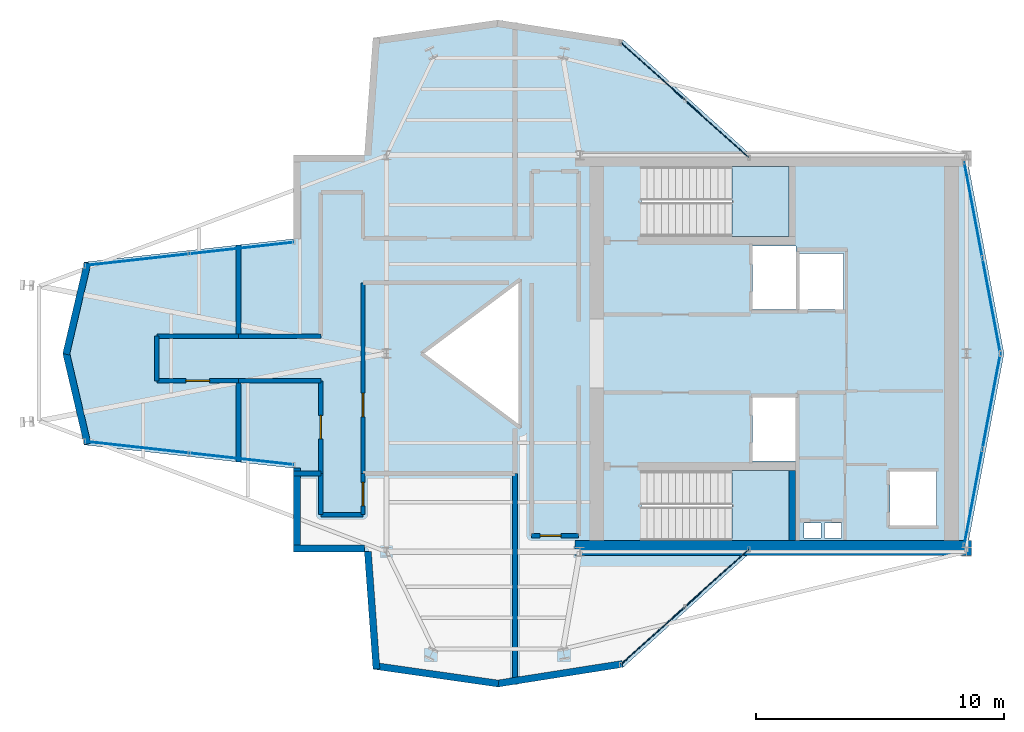
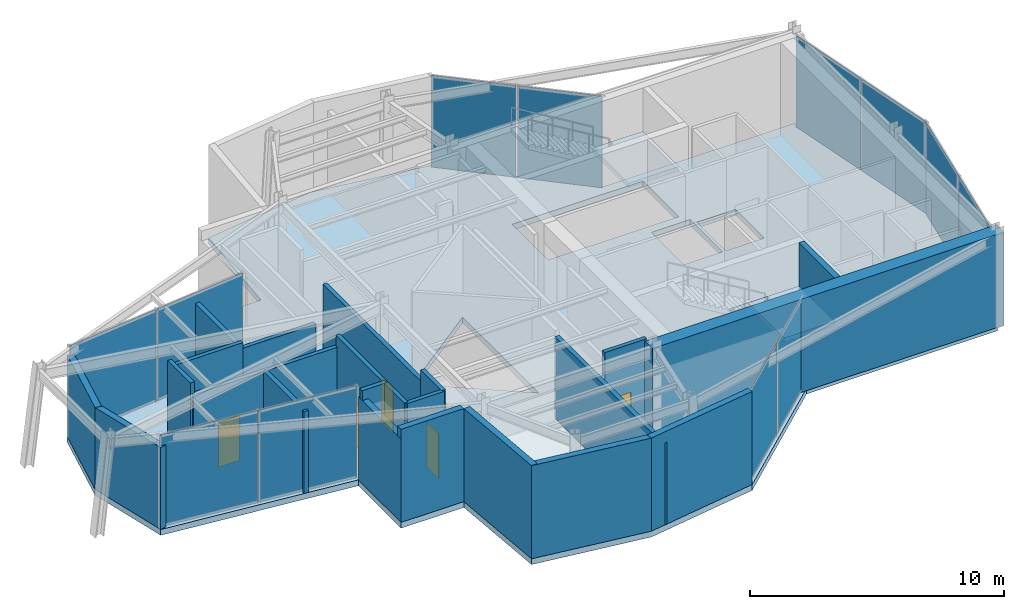
# One storey, part 7 of 11: 24 walls, 12 plates, 5 doors, 3 slabs, 5 openings, 8 elements without a shape of their own.
"""IFC4 building model written with IfcOpenShell, lengths in metres."""

from ifc_helpers import new_model, si_unit, direction, frame, frame_2d, origin, origin_2d, place, context, subcontext, project, spatial, polyline, rectangle, outline, extrude, material, layer, layer_set, type_object, element, fill, aggregate, save


model = new_model("IFC4")

# Units and contexts
model_context = context("Model", 3, precision=1e-05, world=origin(), true_north=direction((0.0, 1.0)))
body_context = subcontext(model_context, "Body", "Model", "MODEL_VIEW")
ifc_project = project(units=[si_unit("LENGTHUNIT", "METRE"), si_unit("AREAUNIT", "SQUARE_METRE"), si_unit("VOLUMEUNIT", "CUBIC_METRE"), si_unit("PLANEANGLEUNIT", "RADIAN"), si_unit("MASSUNIT", "GRAM", prefix="KILO")], contexts=[model_context])

# Site, building, storey
site_placement = place(None, origin())
site = spatial("IfcSite", under=ifc_project, at=site_placement, CompositionType="ELEMENT")
building_placement = place(site_placement, origin())
building = spatial("IfcBuilding", under=site, at=building_placement, Name="Veymaron Broadcast Tower", CompositionType="ELEMENT")
storey_placement = place(building_placement, frame((0.0, 0.0, 327.60009765625)))
storey = spatial("IfcBuildingStorey", under=building, at=storey_placement, Name="L77", CompositionType="ELEMENT", Elevation=327.60009765625)

# Curtain wall, plates
ifc_material_1 = material(Name="Anodised aluminium AA 6063-T6 and laminated low-E dark glass", Category="aluminium")
ifc_layer_1 = layer(ifc_material_1, 0.179931640625)
ifc_layer_set_1 = layer_set([ifc_layer_1], Name="Anodised aluminium AA 6063-T6 and laminated low-E dark glass")
curtain_wall_type = type_object("IfcCurtainWallType", Name="CW-SYS-07", PredefinedType="NOTDEFINED", material=ifc_layer_set_1)
curtain_wall_1_placement = place(storey_placement, origin())
curtain_wall_1 = element("IfcCurtainWall", 1, at=curtain_wall_1_placement, inside=storey, type_object=curtain_wall_type, Name="L77 dark-glass curtain wall CW-L77-E2-1", PredefinedType="NOTDEFINED")
ifc_material_2 = material(Name="Triple-laminated solar-control dark glass IGU 36 mm", Category="glass")
ifc_layer_2 = layer(ifc_material_2, 0.035888671875)
ifc_layer_set_2 = layer_set([ifc_layer_2], Name="Triple-laminated solar-control dark glass IGU 36 mm")
plate_type = type_object("IfcPlateType", Name="CW-PNL-01", PredefinedType="CURTAIN_PANEL", material=ifc_layer_set_2)
plate_1_placement = place(storey_placement, frame((54.873046875, 18.197998046875, 0.0400390625), z_axis=(0.0, 0.0, 1.0), x_axis=(0.18570091493, 0.982606314957, 0.0)))
plate_1 = element("IfcPlate", 2, at=plate_1_placement, type_object=plate_type, Name="CW-L77-E2-1 unitised curtain panel 0", PredefinedType="CURTAIN_PANEL", context=body_context, shape_type="SweptSolid", body=[
    extrude(rectangle(XDim=3.89404296875, YDim=0.035888671875, at=origin_2d()), origin(), (0.0, 0.0, 1.0), 4.39990234375),
])
plate_2_placement = place(storey_placement, frame((55.607421875, 22.083251953125, 0.0400390625), z_axis=(0.0, 0.0, 1.0), x_axis=(0.18570091493, 0.982606314957, 0.0)))
plate_2 = element("IfcPlate", 3, at=plate_2_placement, type_object=plate_type, Name="CW-L77-E2-1 unitised curtain panel 1", PredefinedType="CURTAIN_PANEL", context=body_context, shape_type="SweptSolid", body=[
    extrude(rectangle(XDim=3.89404296875, YDim=0.035888671875, at=origin_2d()), origin(), (0.0, 0.0, 1.0), 4.39990234375),
])
aggregate(curtain_wall_1, [plate_1, plate_2])

curtain_wall_2_placement = place(storey_placement, origin())
curtain_wall_2 = element("IfcCurtainWall", 4, at=curtain_wall_2_placement, inside=storey, type_object=curtain_wall_type, Name="L77 dark-glass curtain wall CW-L77-E3-1", PredefinedType="NOTDEFINED")
plate_3_placement = place(storey_placement, frame((55.607421875, 25.916748046875, 0.0400390625), z_axis=(0.0, 0.0, 1.0), x_axis=(-0.18570091493, 0.982606314957, 0.0)))
plate_3 = element("IfcPlate", 5, at=plate_3_placement, type_object=plate_type, Name="CW-L77-E3-1 unitised curtain panel 0", PredefinedType="CURTAIN_PANEL", context=body_context, shape_type="SweptSolid", body=[
    extrude(rectangle(XDim=3.89404296875, YDim=0.035888671875, at=origin_2d()), origin(), (0.0, 0.0, 1.0), 4.39990234375),
])
plate_4_placement = place(storey_placement, frame((54.873046875, 29.802001953125, 0.0400390625), z_axis=(0.0, 0.0, 1.0), x_axis=(-0.18570091493, 0.982606314957, 0.0)))
plate_4 = element("IfcPlate", 6, at=plate_4_placement, type_object=plate_type, Name="CW-L77-E3-1 unitised curtain panel 1", PredefinedType="CURTAIN_PANEL", context=body_context, shape_type="SweptSolid", body=[
    extrude(rectangle(XDim=3.89404296875, YDim=0.035888671875, at=origin_2d()), origin(), (0.0, 0.0, 1.0), 4.39990234375),
])
aggregate(curtain_wall_2, [plate_3, plate_4])

curtain_wall_3_placement = place(storey_placement, origin())
curtain_wall_3 = element("IfcCurtainWall", 7, at=curtain_wall_3_placement, inside=storey, type_object=curtain_wall_type, Name="L77 dark-glass curtain wall CW-L77-E5-1", PredefinedType="NOTDEFINED")
plate_5_placement = place(storey_placement, frame((44.525390625, 33.06201171875, 0.0400390625), z_axis=(0.0, 0.0, 1.0), x_axis=(-0.742724251655, 0.669597405912, 0.0)))
plate_5 = element("IfcPlate", 8, at=plate_5_placement, type_object=plate_type, Name="CW-L77-E5-1 unitised curtain panel 0", PredefinedType="CURTAIN_PANEL", context=body_context, shape_type="SweptSolid", body=[
    extrude(rectangle(XDim=3.422607421875, YDim=0.035888671875, at=origin_2d()), origin(), (0.0, 0.0, 1.0), 4.39990234375),
])
plate_6_placement = place(storey_placement, frame((41.93896484375, 35.39404296875, 0.0400390625), z_axis=(0.0, 0.0, 1.0), x_axis=(-0.742724251655, 0.669597405912, 0.0)))
plate_6 = element("IfcPlate", 9, at=plate_6_placement, type_object=plate_type, Name="CW-L77-E5-1 unitised curtain panel 1", PredefinedType="CURTAIN_PANEL", context=body_context, shape_type="SweptSolid", body=[
    extrude(rectangle(XDim=3.422607421875, YDim=0.035888671875, at=origin_2d()), origin(), (0.0, 0.0, 1.0), 4.39990234375),
])
aggregate(curtain_wall_3, [plate_5, plate_6])

curtain_wall_4_placement = place(storey_placement, origin())
curtain_wall_4 = element("IfcCurtainWall", 10, at=curtain_wall_4_placement, inside=storey, type_object=curtain_wall_type, Name="L77 dark-glass curtain wall CW-L77-E11-1", PredefinedType="NOTDEFINED")
plate_7_placement = place(storey_placement, frame((25.3515625, 28.252197265625, 0.0400390625), z_axis=(0.0, 0.0, 1.0), x_axis=(-0.993853228115, -0.110705740436, 0.0)))
plate_7 = element("IfcPlate", 11, at=plate_7_placement, type_object=plate_type, Name="CW-L77-E11-1 unitised curtain panel 0", PredefinedType="CURTAIN_PANEL", context=body_context, shape_type="SweptSolid", body=[
    extrude(rectangle(XDim=4.190185546875, YDim=0.035888671875, at=origin_2d()), origin(), (0.0, 0.0, 1.0), 4.39990234375),
])
plate_8_placement = place(storey_placement, frame((21.12744140625, 27.781494140625, 0.0400390625), z_axis=(0.0, 0.0, 1.0), x_axis=(-0.993853228115, -0.110705740436, 0.0)))
plate_8 = element("IfcPlate", 12, at=plate_8_placement, type_object=plate_type, Name="CW-L77-E11-1 unitised curtain panel 1", PredefinedType="CURTAIN_PANEL", context=body_context, shape_type="SweptSolid", body=[
    extrude(rectangle(XDim=4.190185546875, YDim=0.035888671875, at=origin_2d()), origin(), (0.0, 0.0, 1.0), 4.39990234375),
])
aggregate(curtain_wall_4, [plate_7, plate_8])

curtain_wall_5_placement = place(storey_placement, origin())
curtain_wall_5 = element("IfcCurtainWall", 13, at=curtain_wall_5_placement, inside=storey, type_object=curtain_wall_type, Name="L77 dark-glass curtain wall CW-L77-E14-1", PredefinedType="NOTDEFINED")
plate_9_placement = place(storey_placement, frame((21.12744140625, 20.218505859375, 0.0400390625), z_axis=(0.0, 0.0, 1.0), x_axis=(0.993853228115, -0.110705740436, 0.0)))
plate_9 = element("IfcPlate", 14, at=plate_9_placement, type_object=plate_type, Name="CW-L77-E14-1 unitised curtain panel 0", PredefinedType="CURTAIN_PANEL", context=body_context, shape_type="SweptSolid", body=[
    extrude(rectangle(XDim=4.190185546875, YDim=0.035888671875, at=origin_2d()), origin(), (0.0, 0.0, 1.0), 4.39990234375),
])
plate_10_placement = place(storey_placement, frame((25.3515625, 19.747802734375, 0.0400390625), z_axis=(0.0, 0.0, 1.0), x_axis=(0.993853228115, -0.110705740436, 0.0)))
plate_10 = element("IfcPlate", 15, at=plate_10_placement, type_object=plate_type, Name="CW-L77-E14-1 unitised curtain panel 1", PredefinedType="CURTAIN_PANEL", context=body_context, shape_type="SweptSolid", body=[
    extrude(rectangle(XDim=4.190185546875, YDim=0.035888671875, at=origin_2d()), origin(), (0.0, 0.0, 1.0), 4.39990234375),
])
aggregate(curtain_wall_5, [plate_9, plate_10])

curtain_wall_6_placement = place(storey_placement, origin())
curtain_wall_6 = element("IfcCurtainWall", 16, at=curtain_wall_6_placement, inside=storey, type_object=curtain_wall_type, Name="L77 dark-glass curtain wall CW-L77-E20-1", PredefinedType="NOTDEFINED")
plate_11_placement = place(storey_placement, frame((41.93896484375, 12.60595703125, 0.0400390625), z_axis=(0.0, 0.0, 1.0), x_axis=(0.742724251655, 0.669597405912, 0.0)))
plate_11 = element("IfcPlate", 17, at=plate_11_placement, type_object=plate_type, Name="CW-L77-E20-1 unitised curtain panel 0", PredefinedType="CURTAIN_PANEL", context=body_context, shape_type="SweptSolid", body=[
    extrude(rectangle(XDim=3.422607421875, YDim=0.035888671875, at=origin_2d()), origin(), (0.0, 0.0, 1.0), 4.39990234375),
])
plate_12_placement = place(storey_placement, frame((44.525390625, 14.93798828125, 0.0400390625), z_axis=(0.0, 0.0, 1.0), x_axis=(0.742724251655, 0.669597405912, 0.0)))
plate_12 = element("IfcPlate", 18, at=plate_12_placement, type_object=plate_type, Name="CW-L77-E20-1 unitised curtain panel 1", PredefinedType="CURTAIN_PANEL", context=body_context, shape_type="SweptSolid", body=[
    extrude(rectangle(XDim=3.422607421875, YDim=0.035888671875, at=origin_2d()), origin(), (0.0, 0.0, 1.0), 4.39990234375),
])
aggregate(curtain_wall_6, [plate_11, plate_12])

# Slab
ifc_material_3 = material(Name="Concrete C40/50", Category="concrete")
ifc_layer_3 = layer(ifc_material_3, 0.280029296875)
ifc_layer_set_3 = layer_set([ifc_layer_3], Name="Concrete C40/50")
slab_type_1 = type_object("IfcSlabType", Name="SLAB-FS3", PredefinedType="FLOOR", material=ifc_layer_set_3)
slab_1_placement = place(storey_placement, frame((0.0, 0.0, -0.280029296875)))
element("IfcSlab", 19, at=slab_1_placement, inside=storey, type_object=slab_type_1, Name="L77 structural floor slab", PredefinedType="FLOOR", context=body_context, shape_type="SweptSolid", body=[
    extrude(outline(polyline([(45.91259765625, 16.0), (54.60009765625, 16.0), (56.112060546875, 24.0), (54.60009765625, 32.0), (45.91259765625, 32.0), (40.7392578125, 36.6640625), (35.696044921875, 37.4560546875), (30.65283203125, 36.736083984375), (30.306396484375, 32.0), (27.447998046875, 32.0), (27.447998046875, 28.62646484375), (19.0, 27.685302734375), (18.135986328125, 24.0), (19.0, 20.314697265625), (27.447998046875, 19.37353515625), (27.447998046875, 16.0), (30.306396484375, 16.0), (30.65283203125, 11.263916015625), (35.696044921875, 10.5439453125), (40.7392578125, 11.3359375), (45.91259765625, 16.0)]), holes=[polyline([(45.969970703125, 28.330078125), (47.72998046875, 28.330078125), (47.72998046875, 25.77001953125), (45.969970703125, 25.77001953125), (45.969970703125, 28.330078125)]), polyline([(45.969970703125, 22.22998046875), (47.72998046875, 22.22998046875), (47.72998046875, 19.669921875), (45.969970703125, 19.669921875), (45.969970703125, 22.22998046875)]), polyline([(47.8701171875, 28.030029296875), (49.6298828125, 28.030029296875), (49.6298828125, 25.77001953125), (47.8701171875, 25.77001953125), (47.8701171875, 28.030029296875)]), polyline([(51.52001953125, 19.22998046875), (53.3798828125, 19.22998046875), (53.3798828125, 17.070068359375), (51.52001953125, 17.070068359375), (51.52001953125, 19.22998046875)]), polyline([(48.050048828125, 17.159912109375), (48.719970703125, 17.159912109375), (48.719970703125, 16.56005859375), (48.050048828125, 16.56005859375), (48.050048828125, 17.159912109375)]), polyline([(48.8798828125, 17.159912109375), (49.550048828125, 17.159912109375), (49.550048828125, 16.56005859375), (48.8798828125, 16.56005859375), (48.8798828125, 17.159912109375)]), polyline([(36.60009765625, 27.0), (36.60009765625, 21.0), (32.60009765625, 24.0), (36.60009765625, 27.0)]), polyline([(41.489990234375, 31.550048828125), (47.43994140625, 31.550048828125), (47.43994140625, 28.72998046875), (41.489990234375, 28.72998046875), (41.489990234375, 31.550048828125)]), polyline([(41.489990234375, 19.27001953125), (47.43994140625, 19.27001953125), (47.43994140625, 16.449951171875), (41.489990234375, 16.449951171875), (41.489990234375, 19.27001953125)])]), origin(), (0.0, 0.0, 1.0), 0.280029296875),
])

# Stair, slab
ifc_material_4 = material(Name="Concrete C50/60", Category="concrete")
stair_type_1 = type_object("IfcStairType", Name="STAIR-CORE-1", PredefinedType="HALF_TURN_STAIR", material=ifc_material_4)
stair_1_placement = place(storey_placement, origin())
stair_1 = element("IfcStair", 20, at=stair_1_placement, inside=storey, type_object=stair_type_1, Name="L77 North protected dog-leg exit stair ST1", PredefinedType="HALF_TURN_STAIR")
ifc_layer_4 = layer(ifc_material_4, 0.199951171875)
ifc_layer_set_4 = layer_set([ifc_layer_4], Name="Concrete C50/60")
slab_type_2 = type_object("IfcSlabType", Name="SLAB-STAIR-LDG", PredefinedType="LANDING", material=ifc_layer_set_4)
slab_2_placement = place(storey_placement, frame((0.0, 0.0, 2.199951171875)))
slab_2 = element("IfcSlab", 21, at=slab_2_placement, type_object=slab_type_2, Name="ST1 landing 1", PredefinedType="LANDING", context=body_context, shape_type="SweptSolid", body=[
    extrude(outline(polyline([(45.135009765625, 28.72998046875), (47.43994140625, 28.72998046875), (47.43994140625, 31.550048828125), (45.135009765625, 31.550048828125), (45.135009765625, 28.72998046875)])), origin(), (0.0, 0.0, 1.0), 0.199951171875),
])
aggregate(stair_1, [slab_2])

stair_type_2 = type_object("IfcStairType", Name="STAIR-CORE-2", PredefinedType="HALF_TURN_STAIR", material=ifc_material_4)
stair_2_placement = place(storey_placement, origin())
stair_2 = element("IfcStair", 22, at=stair_2_placement, inside=storey, type_object=stair_type_2, Name="L77 South protected dog-leg exit stair ST2", PredefinedType="HALF_TURN_STAIR")
slab_3_placement = place(storey_placement, frame((0.0, 0.0, 2.199951171875)))
slab_3 = element("IfcSlab", 23, at=slab_3_placement, type_object=slab_type_2, Name="ST2 landing 1", PredefinedType="LANDING", context=body_context, shape_type="SweptSolid", body=[
    extrude(outline(polyline([(45.135009765625, 16.449951171875), (47.43994140625, 16.449951171875), (47.43994140625, 19.27001953125), (45.135009765625, 19.27001953125), (45.135009765625, 16.449951171875)])), origin(), (0.0, 0.0, 1.0), 0.199951171875),
])
aggregate(stair_2, [slab_3])

# Walls
ifc_layer_5 = layer(ifc_material_3, 0.199951171875)
ifc_layer_set_5 = layer_set([ifc_layer_5], Name="Concrete C40/50")
wall_type_1 = type_object("IfcWallType", Name="WALL-BLK-200", PredefinedType="SOLIDWALL", material=ifc_layer_set_5)
wall_1_placement = place(storey_placement, frame((36.3759765625, 10.65087890625, 0.0), z_axis=(0.0, 0.0, 1.0), x_axis=(0.0, 1.0, 0.0)))
element("IfcWall", 24, at=wall_1_placement, inside=storey, type_object=wall_type_1, Name="L77 partition IW-L77-P23", PredefinedType="SOLIDWALL", context=body_context, shape_type="SweptSolid", body=[
    extrude(rectangle(XDim=8.505126953125, YDim=0.199951171875, at=frame_2d((4.25244140625, 0.0))), origin(), (0.0, 0.0, 1.0), 3.93994140625),
])
wall_2_placement = place(storey_placement, frame((27.447998046875, 19.156005859375, 0.0), z_axis=(0.0, 0.0, 1.0), x_axis=(1.0, 0.0, 0.0)))
element("IfcWall", 25, at=wall_2_placement, inside=storey, type_object=wall_type_1, Name="L77 partition IW-L77-P25", PredefinedType="SOLIDWALL", context=body_context, shape_type="SweptSolid", body=[
    extrude(rectangle(XDim=1.10205078125, YDim=0.199951171875, at=frame_2d((0.551025390625, 0.0))), origin(), (0.0, 0.0, 1.0), 4.47998046875),
])
wall_3_placement = place(storey_placement, frame((25.22900390625, 19.620849609375, 0.0), z_axis=(0.0, 0.0, 1.0), x_axis=(0.0, 1.0, 0.0)))
element("IfcWall", 26, at=wall_3_placement, inside=storey, type_object=wall_type_1, Name="L77 partition IW-L77-P27", PredefinedType="SOLIDWALL", context=body_context, shape_type="SweptSolid", body=[
    extrude(rectangle(XDim=3.279052734375, YDim=0.199951171875, at=frame_2d((1.6396484375, 0.0))), origin(), (0.0, 0.0, 1.0), 3.93994140625),
])
wall_4_placement = place(storey_placement, frame((25.22900390625, 24.699951171875, 0.0), z_axis=(0.0, 0.0, 1.0), x_axis=(0.0, 1.0, 0.0)))
element("IfcWall", 27, at=wall_4_placement, inside=storey, type_object=wall_type_1, Name="L77 partition IW-L77-P28", PredefinedType="SOLIDWALL", context=body_context, shape_type="SweptSolid", body=[
    extrude(rectangle(XDim=3.67919921875, YDim=0.199951171875, at=frame_2d((1.839599609375, 0.0))), origin(), (0.0, 0.0, 1.0), 3.93994140625),
])
ifc_material_5 = material(Name="Precast concrete C40/50", Category="concrete")
ifc_layer_6 = layer(ifc_material_5, 0.280029296875)
ifc_layer_set_6 = layer_set([ifc_layer_6], Name="Precast concrete C40/50")
wall_type_2 = type_object("IfcWallType", Name="WALL-EXT-280", PredefinedType="STANDARD", material=ifc_layer_set_6)
for number, where, z_axis, x_axis, name in (
    (28, (19.13623046875, 27.6533203125, 0.0), (0.0, 0.0, 1.0), (-0.228259149092, -0.973600411286, 0.0), "L77 notched corner facade pier 12-1"),
    (29, (18.272216796875, 24.031982421875, 0.0), (0.0, 0.0, 1.0), (0.228259149092, -0.973600411286, 0.0), "L77 notched corner facade pier 13-1"),
):
    element("IfcWall", number, at=place(storey_placement, frame(where, z_axis=z_axis, x_axis=x_axis)), inside=storey, type_object=wall_type_2, Name=name, PredefinedType="STANDARD", context=body_context, shape_type="SweptSolid", body=[
        extrude(rectangle(XDim=3.78515625, YDim=0.280029296875, at=frame_2d((1.892578125, 0.0))), origin(), (0.0, 0.0, 1.0), 3.93994140625),
    ])
wall_5_placement = place(storey_placement, frame((27.587890625, 19.37353515625, 0.0), z_axis=(0.0, 0.0, 1.0), x_axis=(0.0, -1.0, 0.0)))
element("IfcWall", 30, at=wall_5_placement, inside=storey, type_object=wall_type_2, Name="L77 notched corner facade pier 15-1", PredefinedType="STANDARD", context=body_context, shape_type="SweptSolid", body=[
    extrude(rectangle(XDim=3.37353515625, YDim=0.280029296875, at=frame_2d((1.686767578125, 0.0))), origin(), (0.0, 0.0, 1.0), 4.0087890625),
])
wall_6_placement = place(storey_placement, frame((27.447998046875, 16.139892578125, 0.0), z_axis=(0.0, 0.0, 1.0), x_axis=(1.0, 0.0, 0.0)))
element("IfcWall", 31, at=wall_6_placement, inside=storey, type_object=wall_type_2, Name="L77 notched corner facade pier 16-1", PredefinedType="STANDARD", context=body_context, shape_type="SweptSolid", body=[
    extrude(rectangle(XDim=2.8583984375, YDim=0.280029296875, at=frame_2d((1.42919921875, 0.0))), origin(), (0.0, 0.0, 1.0), 4.47998046875),
])
wall_7_placement = place(storey_placement, frame((30.446044921875, 16.01025390625, 0.0), z_axis=(0.0, 0.0, 1.0), x_axis=(0.072953187508, -0.997335366079, 0.0)))
element("IfcWall", 32, at=wall_7_placement, inside=storey, type_object=wall_type_2, Name="L77 notched corner facade pier 17-1", PredefinedType="STANDARD", context=body_context, shape_type="SweptSolid", body=[
    extrude(rectangle(XDim=4.748779296875, YDim=0.280029296875, at=frame_2d((2.37451171875, 0.0))), origin(), (0.0, 0.0, 1.0), 4.47998046875),
])
wall_8_placement = place(storey_placement, frame((30.672607421875, 11.402587890625, 0.0), z_axis=(0.0, 0.0, 1.0), x_axis=(0.989962907882, -0.141327424861, 0.0)))
element("IfcWall", 33, at=wall_8_placement, inside=storey, type_object=wall_type_2, Name="L77 notched corner facade pier 18-1", PredefinedType="STANDARD", context=body_context, shape_type="SweptSolid", body=[
    extrude(rectangle(XDim=5.09423828125, YDim=0.280029296875, at=frame_2d((2.547119140625, 0.0))), origin(), (0.0, 0.0, 1.0), 4.47998046875),
])
wall_9_placement = place(storey_placement, frame((35.67431640625, 10.682373046875, 0.0), z_axis=(0.0, 0.0, 1.0), x_axis=(0.987892522015, 0.155139823857, 0.0)))
element("IfcWall", 34, at=wall_9_placement, inside=storey, type_object=wall_type_2, Name="L77 notched corner facade pier 19-1", PredefinedType="STANDARD", context=body_context, shape_type="SweptSolid", body=[
    extrude(rectangle(XDim=5.10498046875, YDim=0.280029296875, at=frame_2d((2.552490234375, 0.0))), origin(), (0.0, 0.0, 1.0), 4.47998046875),
])

# Wall, opening, door
ifc_layer_7 = layer(ifc_material_3, 0.179931640625)
ifc_layer_set_7 = layer_set([ifc_layer_7], Name="Concrete C40/50")
wall_type_3 = type_object("IfcWallType", Name="WALL-FIRE-180", PredefinedType="SOLIDWALL", material=ifc_layer_set_7)
wall_10_placement = place(storey_placement, frame((37.050048828125, 16.64404296875, 0.0), z_axis=(0.0, 0.0, 1.0), x_axis=(1.0, 0.0, 0.0)))
wall_10 = element("IfcWall", 35, at=wall_10_placement, inside=storey, type_object=wall_type_3, Name="L77 partition IW-L77-P03", PredefinedType="SOLIDWALL", context=body_context, shape_type="SweptSolid", body=[
    extrude(rectangle(XDim=1.89990234375, YDim=0.179931640625, at=frame_2d((0.949951171875, 0.0))), origin(), (0.0, 0.0, 1.0), 4.47998046875),
])
opening_1_placement = place(wall_10_placement, frame((0.344970703125, 0.0, 0.0)))
opening_1 = element("IfcOpeningElement", 36, at=opening_1_placement, cuts=wall_10, Name="Opening ID-WC1", PredefinedType="OPENING", context=body_context, shape_type="SweptSolid", body=[
    extrude(rectangle(XDim=0.85009765625, YDim=2.14990234375, at=frame_2d((0.425048828125, 1.074951171875))), frame((0.0, 0.10009765625, 0.0), z_axis=(0.0, -1.0, 0.0), x_axis=(1.0, 0.0, 0.0)), (0.0, 0.0, 1.0), 0.199951171875),
])
ifc_material_6 = material(Name="Moisture-resistant high-pressure laminate timber", Category="wood")
door_type_1 = type_object("IfcDoorType", Name="DOOR-INT-850", OperationType="NOTDEFINED", PredefinedType="DOOR", material=ifc_material_6)
door_1_placement = place(opening_1_placement, frame((0.85009765625, 0.0, 0.0), z_axis=(0.0, 0.0, 1.0), x_axis=(-1.0, 0.0, 0.0)))
door_1 = element("IfcDoor", 37, at=door_1_placement, inside=storey, type_object=door_type_1, Name="L77 door DR-L77-P03", OperationType="SINGLE_SWING_RIGHT", OverallHeight=2.14990234375, OverallWidth=0.85009765625, PredefinedType="DOOR", context=body_context, shape_type="SweptSolid", body=[
    extrude(rectangle(XDim=0.85009765625, YDim=2.14990234375, at=frame_2d((0.425048828125, 1.074951171875))), frame((0.0, 0.02490234375, 0.0), z_axis=(0.0, -1.0, 0.0), x_axis=(1.0, 0.0, 0.0)), (0.0, 0.0, 1.0), 0.050048828125),
])
fill(opening_1, door_1)

wall_11_placement = place(storey_placement, frame((30.25, 17.5, 0.0), z_axis=(0.0, 0.0, 1.0), x_axis=(0.0, 1.0, 0.0)))
wall_11 = element("IfcWall", 38, at=wall_11_placement, inside=storey, type_object=wall_type_3, Name="L77 partition IW-L77-P05", PredefinedType="SOLIDWALL", context=body_context, shape_type="SweptSolid", body=[
    extrude(rectangle(XDim=1.656005859375, YDim=0.179931640625, at=frame_2d((0.828125, 0.0))), origin(), (0.0, 0.0, 1.0), 4.47998046875),
])
opening_2_placement = place(wall_11_placement, frame((0.35302734375, 0.0, 0.0)))
opening_2 = element("IfcOpeningElement", 39, at=opening_2_placement, cuts=wall_11, Name="Opening ID-RM1", PredefinedType="OPENING", context=body_context, shape_type="SweptSolid", body=[
    extrude(rectangle(XDim=0.949951171875, YDim=2.14990234375, at=frame_2d((0.47509765625, 1.074951171875))), frame((0.0, 0.10009765625, 0.0), z_axis=(0.0, -1.0, 0.0), x_axis=(1.0, 0.0, 0.0)), (0.0, 0.0, 1.0), 0.199951171875),
])
ifc_material_7 = material(Name="Acoustic solid-core European oak veneer timber", Category="wood")
door_type_2 = type_object("IfcDoorType", Name="DOOR-INT-950", OperationType="NOTDEFINED", PredefinedType="DOOR", material=ifc_material_7)
door_2_placement = place(opening_2_placement, frame((0.949951171875, 0.0, 0.0), z_axis=(0.0, 0.0, 1.0), x_axis=(-1.0, 0.0, 0.0)))
door_2 = element("IfcDoor", 40, at=door_2_placement, inside=storey, type_object=door_type_2, Name="L77 door DR-L77-P05", OperationType="SINGLE_SWING_RIGHT", OverallHeight=2.14990234375, OverallWidth=0.949951171875, PredefinedType="DOOR", context=body_context, shape_type="SweptSolid", body=[
    extrude(rectangle(XDim=0.949951171875, YDim=2.14990234375, at=frame_2d((0.47509765625, 1.074951171875))), frame((0.0, 0.02490234375, 0.0), z_axis=(0.0, -1.0, 0.0), x_axis=(1.0, 0.0, 0.0)), (0.0, 0.0, 1.0), 0.050048828125),
])
fill(opening_2, door_2)

wall_12_placement = place(storey_placement, frame((28.550048828125, 19.156005859375, 0.0), z_axis=(0.0, 0.0, 1.0), x_axis=(0.0, 1.0, 0.0)))
wall_12 = element("IfcWall", 41, at=wall_12_placement, inside=storey, type_object=wall_type_3, Name="L77 partition IW-L77-P07", PredefinedType="SOLIDWALL", context=body_context, shape_type="SweptSolid", body=[
    extrude(rectangle(XDim=3.743896484375, YDim=0.179931640625, at=frame_2d((1.8720703125, 0.0))), origin(), (0.0, 0.0, 1.0), 4.47998046875),
])
opening_3_placement = place(wall_12_placement, frame((1.39697265625, 0.0, 0.0)))
opening_3 = element("IfcOpeningElement", 42, at=opening_3_placement, cuts=wall_12, Name="Opening ID-RM1", PredefinedType="OPENING", context=body_context, shape_type="SweptSolid", body=[
    extrude(rectangle(XDim=0.949951171875, YDim=2.14990234375, at=frame_2d((0.47509765625, 1.074951171875))), frame((0.0, 0.10009765625, 0.0), z_axis=(0.0, -1.0, 0.0), x_axis=(1.0, 0.0, 0.0)), (0.0, 0.0, 1.0), 0.199951171875),
])
door_3_placement = place(opening_3_placement, origin())
door_3 = element("IfcDoor", 43, at=door_3_placement, inside=storey, type_object=door_type_2, Name="L77 door DR-L77-P07", OperationType="SINGLE_SWING_RIGHT", OverallHeight=2.14990234375, OverallWidth=0.949951171875, PredefinedType="DOOR", context=body_context, shape_type="SweptSolid", body=[
    extrude(rectangle(XDim=0.949951171875, YDim=2.14990234375, at=frame_2d((0.47509765625, 1.074951171875))), frame((0.0, 0.02490234375, 0.0), z_axis=(0.0, -1.0, 0.0), x_axis=(1.0, 0.0, 0.0)), (0.0, 0.0, 1.0), 0.050048828125),
])
fill(opening_3, door_3)

wall_13_placement = place(storey_placement, frame((30.25, 19.156005859375, 0.0), z_axis=(0.0, 0.0, 1.0), x_axis=(0.0, 1.0, 0.0)))
wall_13 = element("IfcWall", 44, at=wall_13_placement, inside=storey, type_object=wall_type_3, Name="L77 partition IW-L77-P09", PredefinedType="SOLIDWALL", context=body_context, shape_type="SweptSolid", body=[
    extrude(rectangle(XDim=7.694091796875, YDim=0.179931640625, at=frame_2d((3.84716796875, 0.0))), origin(), (0.0, 0.0, 1.0), 3.93994140625),
])
opening_4_placement = place(wall_13_placement, frame((2.2919921875, 0.0, 0.0)))
opening_4 = element("IfcOpeningElement", 45, at=opening_4_placement, cuts=wall_13, Name="Opening ID-RM1", PredefinedType="OPENING", context=body_context, shape_type="SweptSolid", body=[
    extrude(rectangle(XDim=0.949951171875, YDim=2.14990234375, at=frame_2d((0.47509765625, 1.074951171875))), frame((0.0, 0.10009765625, 0.0), z_axis=(0.0, -1.0, 0.0), x_axis=(1.0, 0.0, 0.0)), (0.0, 0.0, 1.0), 0.199951171875),
])
door_4_placement = place(opening_4_placement, frame((0.949951171875, 0.0, 0.0), z_axis=(0.0, 0.0, 1.0), x_axis=(-1.0, 0.0, 0.0)))
door_4 = element("IfcDoor", 46, at=door_4_placement, inside=storey, type_object=door_type_2, Name="L77 door DR-L77-P09", OperationType="SINGLE_SWING_RIGHT", OverallHeight=2.14990234375, OverallWidth=0.949951171875, PredefinedType="DOOR", context=body_context, shape_type="SweptSolid", body=[
    extrude(rectangle(XDim=0.949951171875, YDim=2.14990234375, at=frame_2d((0.47509765625, 1.074951171875))), frame((0.0, 0.02490234375, 0.0), z_axis=(0.0, -1.0, 0.0), x_axis=(1.0, 0.0, 0.0)), (0.0, 0.0, 1.0), 0.050048828125),
])
fill(opening_4, door_4)

wall_14_placement = place(storey_placement, frame((21.93603515625, 22.89990234375, 0.0), z_axis=(0.0, 0.0, 1.0), x_axis=(1.0, 0.0, 0.0)))
wall_14 = element("IfcWall", 47, at=wall_14_placement, inside=storey, type_object=wall_type_3, Name="L77 partition IW-L77-P11", PredefinedType="SOLIDWALL", context=body_context, shape_type="SweptSolid", body=[
    extrude(rectangle(XDim=3.29296875, YDim=0.179931640625, at=frame_2d((1.646484375, 0.0))), origin(), (0.0, 0.0, 1.0), 3.93994140625),
])
opening_5_placement = place(wall_14_placement, frame((1.17138671875, 0.0, 0.0)))
opening_5 = element("IfcOpeningElement", 48, at=opening_5_placement, cuts=wall_14, Name="Opening ID-RM1", PredefinedType="OPENING", context=body_context, shape_type="SweptSolid", body=[
    extrude(rectangle(XDim=0.949951171875, YDim=2.14990234375, at=frame_2d((0.47509765625, 1.074951171875))), frame((0.0, 0.10009765625, 0.0), z_axis=(0.0, -1.0, 0.0), x_axis=(1.0, 0.0, 0.0)), (0.0, 0.0, 1.0), 0.199951171875),
])
door_5_placement = place(opening_5_placement, frame((0.949951171875, 0.0, 0.0), z_axis=(0.0, 0.0, 1.0), x_axis=(-1.0, 0.0, 0.0)))
door_5 = element("IfcDoor", 49, at=door_5_placement, inside=storey, type_object=door_type_2, Name="L77 door DR-L77-P11", OperationType="SINGLE_SWING_RIGHT", OverallHeight=2.14990234375, OverallWidth=0.949951171875, PredefinedType="DOOR", context=body_context, shape_type="SweptSolid", body=[
    extrude(rectangle(XDim=0.949951171875, YDim=2.14990234375, at=frame_2d((0.47509765625, 1.074951171875))), frame((0.0, 0.02490234375, 0.0), z_axis=(0.0, -1.0, 0.0), x_axis=(1.0, 0.0, 0.0)), (0.0, 0.0, 1.0), 0.050048828125),
])
fill(opening_5, door_5)

# Walls
wall_15_placement = place(storey_placement, frame((28.550048828125, 17.5, 0.0), z_axis=(0.0, 0.0, 1.0), x_axis=(1.0, 0.0, 0.0)))
element("IfcWall", 50, at=wall_15_placement, inside=storey, type_object=wall_type_3, Name="L77 partition IW-L77-P04", PredefinedType="SOLIDWALL", context=body_context, shape_type="SweptSolid", body=[
    extrude(rectangle(XDim=1.699951171875, YDim=0.179931640625, at=frame_2d((0.85009765625, 0.0))), origin(), (0.0, 0.0, 1.0), 4.47998046875),
])
wall_16_placement = place(storey_placement, frame((28.550048828125, 17.5, 0.0), z_axis=(0.0, 0.0, 1.0), x_axis=(0.0, 1.0, 0.0)))
element("IfcWall", 51, at=wall_16_placement, inside=storey, type_object=wall_type_3, Name="L77 partition IW-L77-P06", PredefinedType="SOLIDWALL", context=body_context, shape_type="SweptSolid", body=[
    extrude(rectangle(XDim=1.656005859375, YDim=0.179931640625, at=frame_2d((0.828125, 0.0))), origin(), (0.0, 0.0, 1.0), 4.47998046875),
])
wall_17_placement = place(storey_placement, frame((25.22900390625, 22.89990234375, 0.0), z_axis=(0.0, 0.0, 1.0), x_axis=(1.0, 0.0, 0.0)))
element("IfcWall", 52, at=wall_17_placement, inside=storey, type_object=wall_type_3, Name="L77 partition IW-L77-P08", PredefinedType="SOLIDWALL", context=body_context, shape_type="SweptSolid", body=[
    extrude(rectangle(XDim=3.321044921875, YDim=0.179931640625, at=frame_2d((1.66064453125, 0.0))), origin(), (0.0, 0.0, 1.0), 3.93994140625),
])
wall_18_placement = place(storey_placement, frame((21.93603515625, 24.699951171875, 0.0), z_axis=(0.0, 0.0, 1.0), x_axis=(1.0, 0.0, 0.0)))
element("IfcWall", 53, at=wall_18_placement, inside=storey, type_object=wall_type_3, Name="L77 partition IW-L77-P12", PredefinedType="SOLIDWALL", context=body_context, shape_type="SweptSolid", body=[
    extrude(rectangle(XDim=3.29296875, YDim=0.179931640625, at=frame_2d((1.646484375, 0.0))), origin(), (0.0, 0.0, 1.0), 4.2099609375),
])
wall_19_placement = place(storey_placement, frame((21.93603515625, 22.89990234375, 0.0), z_axis=(0.0, 0.0, 1.0), x_axis=(0.0, 1.0, 0.0)))
element("IfcWall", 54, at=wall_19_placement, inside=storey, type_object=wall_type_3, Name="L77 partition IW-L77-P13", PredefinedType="SOLIDWALL", context=body_context, shape_type="SweptSolid", body=[
    extrude(rectangle(XDim=1.800048828125, YDim=0.179931640625, at=frame_2d((0.89990234375, 0.0))), origin(), (0.0, 0.0, 1.0), 4.47998046875),
])
wall_20_placement = place(storey_placement, frame((25.22900390625, 24.699951171875, 0.0), z_axis=(0.0, 0.0, 1.0), x_axis=(1.0, 0.0, 0.0)))
element("IfcWall", 55, at=wall_20_placement, inside=storey, type_object=wall_type_3, Name="L77 partition IW-L77-P16", PredefinedType="SOLIDWALL", context=body_context, shape_type="SweptSolid", body=[
    extrude(rectangle(XDim=3.321044921875, YDim=0.179931640625, at=frame_2d((1.66064453125, 0.0))), origin(), (0.0, 0.0, 1.0), 3.93994140625),
])
ifc_layer_8 = layer(ifc_material_4, 0.25)
ifc_layer_set_8 = layer_set([ifc_layer_8], Name="Concrete C50/60")
wall_type_4 = type_object("IfcWallType", Name="WALL-SHEAR-250", PredefinedType="SHEAR", material=ifc_layer_set_8)
wall_21_placement = place(storey_placement, frame((47.56494140625, 16.449951171875, 0.0), z_axis=(0.0, 0.0, 1.0), x_axis=(0.0, 1.0, 0.0)))
element("IfcWall", 56, at=wall_21_placement, inside=storey, type_object=wall_type_4, Name="L77 Core Wall south stair east shear", PredefinedType="SHEAR", context=body_context, shape_type="SweptSolid", body=[
    extrude(rectangle(XDim=2.820068359375, YDim=0.25, at=frame_2d((1.41015625, 0.0))), origin(), (0.0, 0.0, 1.0), 4.47998046875),
])
ifc_layer_9 = layer(ifc_material_4, 0.60009765625)
ifc_layer_set_9 = layer_set([ifc_layer_9], Name="Concrete C50/60")
wall_type_5 = type_object("IfcWallType", Name="WALL-SHEAR-600", PredefinedType="SHEAR", material=ifc_layer_set_9)
wall_22_placement = place(storey_placement, frame((38.800048828125, 16.14990234375, 0.0), z_axis=(0.0, 0.0, 1.0), x_axis=(1.0, 0.0, 0.0)))
element("IfcWall", 57, at=wall_22_placement, inside=storey, type_object=wall_type_5, Name="L77 Core Wall south shear", PredefinedType="SHEAR", context=body_context, shape_type="SweptSolid", body=[
    extrude(rectangle(XDim=16.0, YDim=0.60009765625, at=frame_2d((8.0, 0.0))), origin(), (0.0, 0.0, 1.0), 4.47998046875),
])

save(model, "model.ifc")
